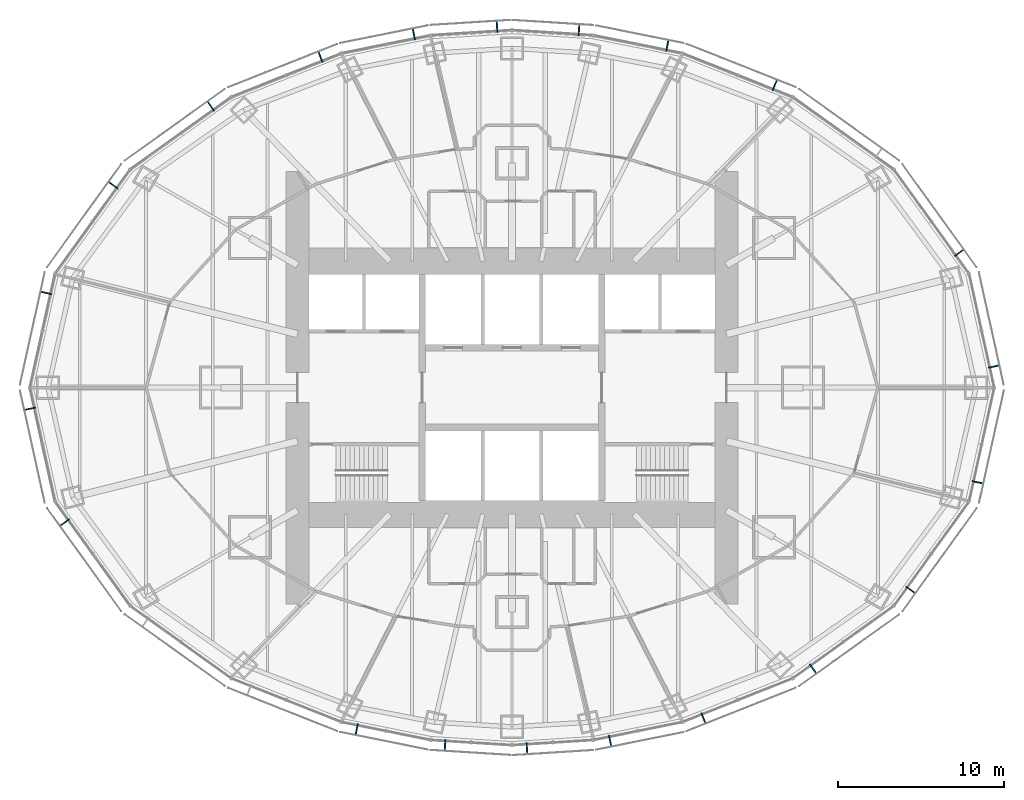
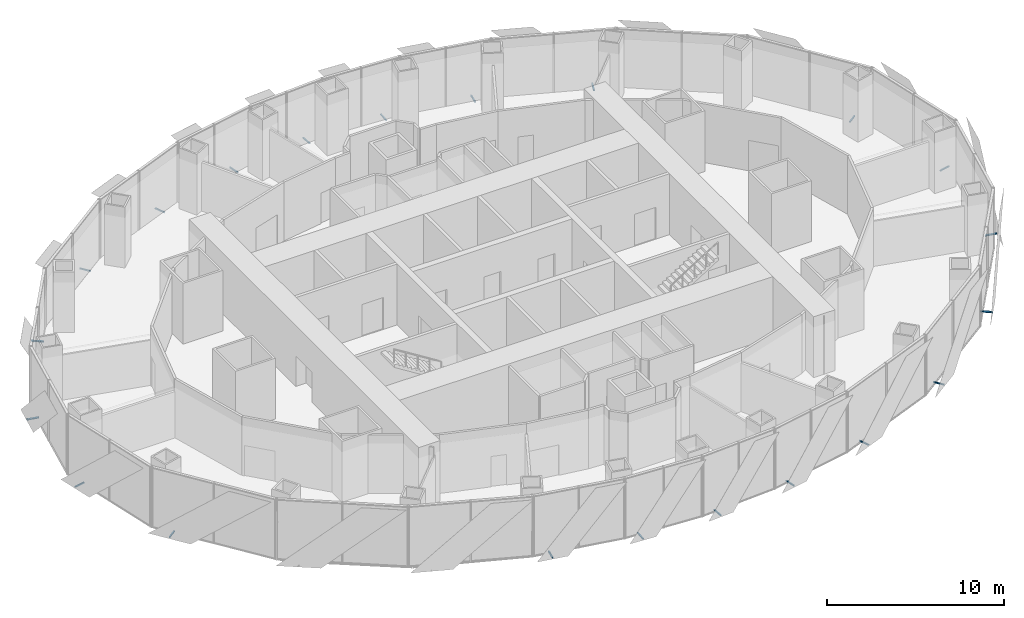
# One storey, part 14 of 18: 21 discrete accessories.
"""IFC4 building model written with IfcOpenShell, lengths in metres."""

from ifc_helpers import new_model, si_unit, direction, frame, origin, origin_2d, place, context, subcontext, project, spatial, rectangle, extrude, element, save


model = new_model("IFC4")

# Units and contexts
model_context = context("Model", 3, precision=1e-05, world=origin(), true_north=direction((0.0, 1.0)))
body_context = subcontext(model_context, "Body", "Model", "MODEL_VIEW")
ifc_project = project(units=[si_unit("LENGTHUNIT", "METRE"), si_unit("AREAUNIT", "SQUARE_METRE"), si_unit("VOLUMEUNIT", "CUBIC_METRE"), si_unit("PLANEANGLEUNIT", "RADIAN"), si_unit("MASSUNIT", "GRAM", prefix="KILO")], contexts=[model_context])

# Site, building, storey
site_placement = place(None, origin())
site = spatial("IfcSite", under=ifc_project, at=site_placement, CompositionType="ELEMENT")
building_placement = place(site_placement, origin())
building = spatial("IfcBuilding", under=site, at=building_placement, Name="Lantaw Convention Tower", CompositionType="ELEMENT")
storey_placement = place(building_placement, frame((0.0, 0.0, 172.0)))
storey = spatial("IfcBuildingStorey", under=building, at=storey_placement, Name="L40", CompositionType="ELEMENT", Elevation=172.0)

# Discrete accessories
for number, where, z_axis, x_axis, name in (
    (1, (28.98486328125, 1.269775390625, -0.114990234375), (0.0, 0.0, 1.0), (-0.215546166174, 0.9764936509, 0.0), "Screen bracket"),
    (2, (26.900146484375, 8.111572265625, -0.114990234375), (0.0, 0.0, 1.0), (-0.584512597221, 0.811384633629, 0.0), "Screen bracket"),
    (3, (15.802978515625, 18.18798828125, -0.114990234375), (0.0, 0.0, 1.0), (-0.929547687544, 0.368701907483, 0.0), "Screen bracket"),
    (4, (9.339599609375, 20.56005859375, -0.114990234375), (0.0, 0.0, 1.0), (-0.980301514912, 0.197506809659, 0.0), "Screen bracket"),
    (5, (4.027099609375, 21.505859375, -0.114990234375), (0.0, 0.0, 1.0), (-0.998022035978, 0.062865059466, 0.0), "Screen bracket"),
    (6, (-0.89794921875, 21.702880859375, -0.114990234375), (0.0, 0.0, 1.0), (-0.998022035978, -0.062865059466, 0.0), "Screen bracket"),
    (7, (-5.903076171875, 21.25244140625, -0.114990234375), (0.0, 0.0, 1.0), (-0.980301514912, -0.197506809659, 0.0), "Screen bracket"),
    (8, (-11.517822265625, 19.887939453125, -0.114990234375), (0.0, 0.0, 1.0), (-0.929547687544, -0.368701907483, 0.0), "Screen bracket"),
    (9, (-18.10791015625, 16.922607421875, -0.114990234375), (0.0, 0.0, 1.0), (-0.813208325995, -0.581972695693, 0.0), "Screen bracket"),
    (10, (-23.9765625, 12.169677734375, -0.114990234375), (0.0, 0.0, 1.0), (-0.584512597221, -0.811384633629, 0.0), "Screen bracket"),
    (11, (-28.008056640625, 5.6953125, -0.114990234375), (0.0, 0.0, 1.0), (-0.215546166174, -0.9764936509, 0.0), "Screen bracket"),
    (12, (-28.98486328125, -1.269775390625, -0.114990234375), (0.0, 0.0, 1.0), (0.215546166174, -0.9764936509, 0.0), "Screen bracket"),
    (13, (-26.900146484375, -8.111572265625, -0.114990234375), (0.0, 0.0, 1.0), (0.584512597221, -0.811384633629, 0.0), "Screen bracket"),
    (14, (-9.339599609375, -20.56005859375, -0.114990234375), (0.0, 0.0, 1.0), (0.980301514912, -0.197506809659, 0.0), "Screen bracket"),
    (15, (-4.027099609375, -21.505859375, -0.114990234375), (0.0, 0.0, 1.0), (0.998022035978, -0.062865059466, 0.0), "Screen bracket"),
    (16, (0.89794921875, -21.702880859375, -0.114990234375), (0.0, 0.0, 1.0), (0.998022035978, 0.062865059466, 0.0), "Screen bracket"),
    (17, (5.903076171875, -21.25244140625, -0.114990234375), (0.0, 0.0, 1.0), (0.980301514912, 0.197506809659, 0.0), "Screen bracket"),
    (18, (11.517822265625, -19.887939453125, -0.114990234375), (0.0, 0.0, 1.0), (0.929547687544, 0.368701907483, 0.0), "Screen bracket"),
    (19, (18.10791015625, -16.922607421875, -0.114990234375), (0.0, 0.0, 1.0), (0.813208325995, 0.581972695693, 0.0), "Screen bracket"),
    (20, (23.9765625, -12.169677734375, -0.114990234375), (0.0, 0.0, 1.0), (0.584512597221, 0.811384633629, 0.0), "Screen bracket"),
    (21, (28.008056640625, -5.6953125, -0.114990234375), (0.0, 0.0, 1.0), (0.215546166174, 0.9764936509, 0.0), "Screen bracket"),
):
    element("IfcDiscreteAccessory", number, at=place(storey_placement, frame(where, z_axis=z_axis, x_axis=x_axis)), inside=storey, Name=name, PredefinedType="BRACKET", context=body_context, shape_type="SweptSolid", body=[
        extrude(rectangle(XDim=0.080078125, YDim=0.68798828125, at=origin_2d()), origin(), (0.0, 0.0, 1.0), 0.080078125),
    ])

save(model, "model.ifc")
